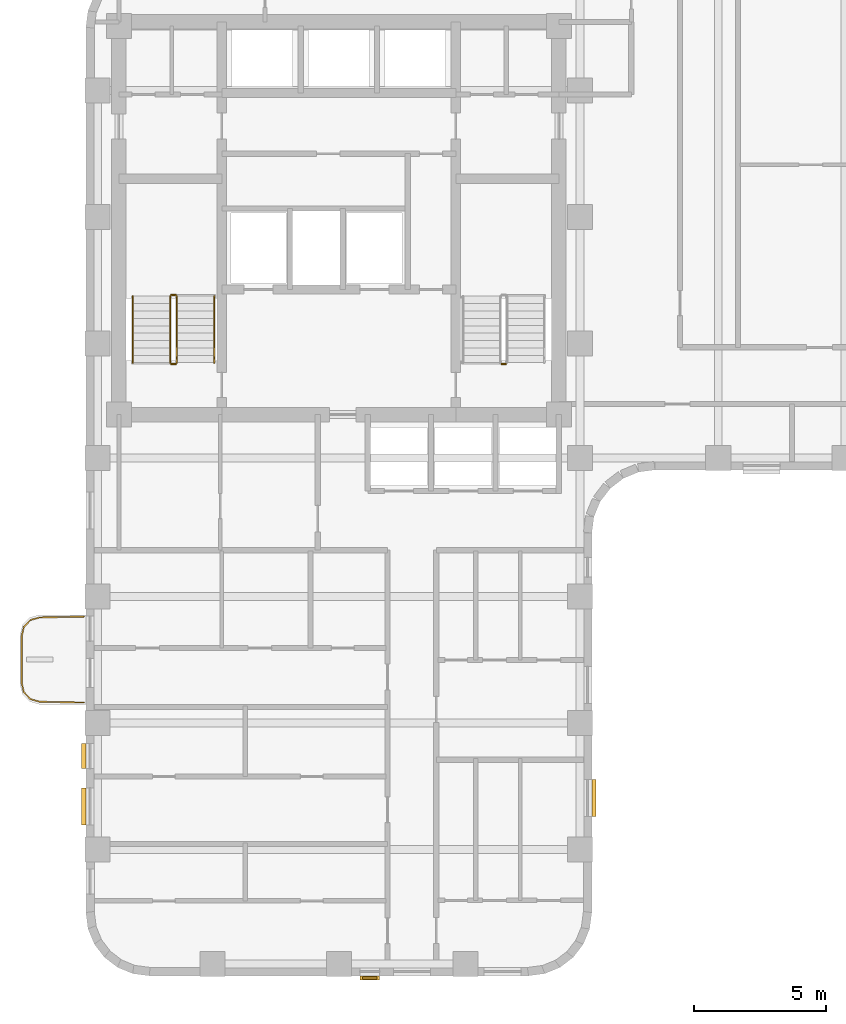
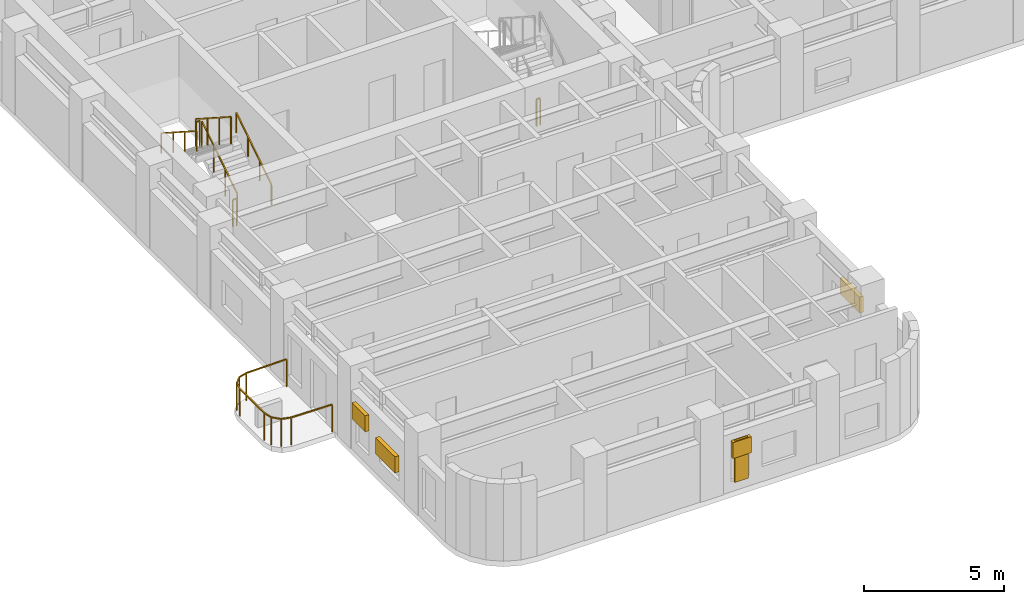
# One storey, part 8 of 10: 8 railings, 5 shading devices.
"""IFC4 building model written with IfcOpenShell, lengths in metres."""

from ifc_helpers import new_model, si_unit, direction, frame, origin, origin_2d, place, context, subcontext, project, spatial, rectangle, extrude, material, type_object, element, save


model = new_model("IFC4")

# Units and contexts
model_context = context("Model", 3, precision=1e-05, world=origin(), true_north=direction((0.0, 1.0)))
body_context = subcontext(model_context, "Body", "Model", "MODEL_VIEW")
ifc_project = project(units=[si_unit("LENGTHUNIT", "METRE"), si_unit("AREAUNIT", "SQUARE_METRE"), si_unit("VOLUMEUNIT", "CUBIC_METRE"), si_unit("PLANEANGLEUNIT", "RADIAN"), si_unit("MASSUNIT", "GRAM", prefix="KILO")], contexts=[model_context])

# Site, building, storey
site_placement = place(None, origin())
site = spatial("IfcSite", under=ifc_project, at=site_placement, CompositionType="ELEMENT")
building_placement = place(site_placement, origin())
building = spatial("IfcBuilding", under=site, at=building_placement, Name="Orvandelia Arch Residences", CompositionType="ELEMENT")
storey_placement = place(building_placement, frame((0.0, 0.0, 139.60009765625)))
storey = spatial("IfcBuildingStorey", under=building, at=storey_placement, Name="L36", CompositionType="ELEMENT", Elevation=139.60009765625)

# Railings
ifc_material_1 = material(Name="Marine-Grade Stainless Steel 316", Category="steel")
railing_type_1 = type_object("IfcRailingType", Name="GRD-BAL-1200", PredefinedType="BALUSTRADE", material=ifc_material_1)
railing_1_placement = place(storey_placement, frame((4.728271484375, 23.23046875, 0.0)))
element("IfcRailing", 1, at=railing_1_placement, inside=storey, type_object=railing_type_1, Name="Safety Balustrade Guard GRD-L36-BAL-L36-W1-1", PredefinedType="BALUSTRADE", context=body_context, shape_type="SweptSolid", body=[
    extrude(rectangle(XDim=0.048095703125, YDim=0.048095703125, at=origin_2d()), frame((0.0, 0.0, 1.19580078125), z_axis=(-0.999834751713, -0.018178813668, 0.0), x_axis=(0.018178813668, -0.999834751713, 0.0)), (0.0, 0.0, 1.0), 1.6787109375),
    extrude(rectangle(XDim=0.048095703125, YDim=0.048095703125, at=origin_2d()), frame((-1.678466796875, -0.030517578125, 1.19580078125), z_axis=(-0.96348920644, -0.267747173792, 0.0), x_axis=(0.267747173792, -0.96348920644, 0.0)), (0.0, 0.0, 1.0), 0.36572265625),
    extrude(rectangle(XDim=0.048095703125, YDim=0.048095703125, at=origin_2d()), frame((-2.03076171875, -0.12841796875, 1.19580078125), z_axis=(-0.688627404251, -0.725115368831, 0.0), x_axis=(0.725115368831, -0.688627404251, 0.0)), (0.0, 0.0, 1.0), 0.367919921875),
    extrude(rectangle(XDim=0.048095703125, YDim=0.048095703125, at=origin_2d()), frame((-2.2841796875, -0.395263671875, 1.19580078125), z_axis=(-0.220461657419, -0.975395641577, 0.0), x_axis=(0.975395641577, -0.220461657419, 0.0)), (0.0, 0.0, 1.0), 0.373291015625),
    extrude(rectangle(XDim=0.048095703125, YDim=0.048095703125, at=origin_2d()), frame((-2.366455078125, -0.75927734375, 1.19580078125), z_axis=(0.0, -1.0, 0.0), x_axis=(1.0, 0.0, 0.0)), (0.0, 0.0, 1.0), 1.742431640625),
    extrude(rectangle(XDim=0.048095703125, YDim=0.048095703125, at=origin_2d()), frame((-2.366455078125, -2.501708984375, 1.19580078125), z_axis=(0.220602419982, -0.975363815352, 0.0), x_axis=(0.975363815352, 0.220602419982, 0.0)), (0.0, 0.0, 1.0), 0.373046875),
    extrude(rectangle(XDim=0.048095703125, YDim=0.048095703125, at=origin_2d()), frame((-2.2841796875, -2.865478515625, 1.19580078125), z_axis=(0.688296224633, -0.725429739642, 0.0), x_axis=(0.725429739642, 0.688296224633, 0.0)), (0.0, 0.0, 1.0), 0.3681640625),
    extrude(rectangle(XDim=0.048095703125, YDim=0.048095703125, at=origin_2d()), frame((-2.03076171875, -3.132568359375, 1.19580078125), z_axis=(0.96348920644, -0.267747173792, 0.0), x_axis=(0.267747173792, 0.96348920644, 0.0)), (0.0, 0.0, 1.0), 0.36572265625),
    extrude(rectangle(XDim=0.048095703125, YDim=0.048095703125, at=origin_2d()), frame((-1.678466796875, -3.23046875, 1.19580078125), z_axis=(0.999834751713, -0.018178813668, 0.0), x_axis=(0.018178813668, 0.999834751713, 0.0)), (0.0, 0.0, 1.0), 1.6787109375),
    extrude(rectangle(XDim=0.0419921875, YDim=0.0419921875, at=origin_2d()), origin(), (0.0, 0.0, 1.0), 1.171875),
    extrude(rectangle(XDim=0.0419921875, YDim=0.0419921875, at=origin_2d()), frame((-1.678466796875, -0.030517578125, 0.0)), (0.0, 0.0, 1.0), 1.171875),
    extrude(rectangle(XDim=0.0419921875, YDim=0.0419921875, at=origin_2d()), frame((-2.03076171875, -0.12841796875, 0.0)), (0.0, 0.0, 1.0), 1.171875),
    extrude(rectangle(XDim=0.0419921875, YDim=0.0419921875, at=origin_2d()), frame((-2.2841796875, -0.395263671875, 0.0)), (0.0, 0.0, 1.0), 1.171875),
    extrude(rectangle(XDim=0.0419921875, YDim=0.0419921875, at=origin_2d()), frame((-2.366455078125, -0.75927734375, 0.0)), (0.0, 0.0, 1.0), 1.171875),
    extrude(rectangle(XDim=0.0419921875, YDim=0.0419921875, at=origin_2d()), frame((-2.366455078125, -2.501708984375, 0.0)), (0.0, 0.0, 1.0), 1.171875),
    extrude(rectangle(XDim=0.0419921875, YDim=0.0419921875, at=origin_2d()), frame((-2.2841796875, -2.865478515625, 0.0)), (0.0, 0.0, 1.0), 1.171875),
    extrude(rectangle(XDim=0.0419921875, YDim=0.0419921875, at=origin_2d()), frame((-2.03076171875, -3.132568359375, 0.0)), (0.0, 0.0, 1.0), 1.171875),
    extrude(rectangle(XDim=0.0419921875, YDim=0.0419921875, at=origin_2d()), frame((-1.678466796875, -3.23046875, 0.0)), (0.0, 0.0, 1.0), 1.171875),
    extrude(rectangle(XDim=0.0419921875, YDim=0.0419921875, at=origin_2d()), frame((0.0, -3.260986328125, 0.0)), (0.0, 0.0, 1.0), 1.171875),
])
ifc_material_2 = material(Name="Brushed Stainless Steel 304", Category="steel")
railing_type_2 = type_object("IfcRailingType", Name="RL-STAIR-GD1120", PredefinedType="GUARDRAIL", material=ifc_material_2)
railing_2_placement = place(storey_placement, frame((8.25, 32.8701171875, 0.179931640625)))
element("IfcRailing", 2, at=railing_2_placement, inside=storey, type_object=railing_type_2, Name="L36 ST-1 stair guard 1", PredefinedType="GUARDRAIL", context=body_context, shape_type="SweptSolid", body=[
    extrude(rectangle(XDim=0.048095703125, YDim=0.048095703125, at=origin_2d()), frame((0.0, 0.0, 1.17578125), z_axis=(0.0, 0.841175827307, 0.540761710511), x_axis=(-1.0, 0.0, 0.0)), (0.0, 0.0, 1.0), 2.99560546875),
    extrude(rectangle(XDim=0.0419921875, YDim=0.0419921875, at=origin_2d()), origin(), (0.0, 0.0, 1.0), 1.15185546875),
    extrude(rectangle(XDim=0.0419921875, YDim=0.0419921875, at=origin_2d()), frame((0.0, 0.83984375, 0.5400390625)), (0.0, 0.0, 1.0), 1.15185546875),
    extrude(rectangle(XDim=0.0419921875, YDim=0.0419921875, at=origin_2d()), frame((0.0, 1.679931640625, 1.079833984375)), (0.0, 0.0, 1.0), 1.15185546875),
    extrude(rectangle(XDim=0.0419921875, YDim=0.0419921875, at=origin_2d()), frame((0.0, 2.519775390625, 1.619873046875)), (0.0, 0.0, 1.0), 1.15185546875),
])
railing_3_placement = place(storey_placement, frame((8.199951171875, 35.43994140625, 1.7998046875)))
element("IfcRailing", 3, at=railing_3_placement, inside=storey, type_object=railing_type_2, Name="L36 ST-1 stair guard 2", PredefinedType="GUARDRAIL", context=body_context, shape_type="SweptSolid", body=[
    extrude(rectangle(XDim=0.048095703125, YDim=0.048095703125, at=origin_2d()), frame((0.0, 0.0, 1.17578125), z_axis=(-1.0, 0.0, 0.0), x_axis=(0.0, -1.0, 0.0)), (0.0, 0.0, 1.0), 0.14990234375),
    extrude(rectangle(XDim=0.0419921875, YDim=0.0419921875, at=origin_2d()), origin(), (0.0, 0.0, 1.0), 1.15185546875),
    extrude(rectangle(XDim=0.0419921875, YDim=0.0419921875, at=origin_2d()), frame((-0.14990234375, 0.0, 0.0)), (0.0, 0.0, 1.0), 1.15185546875),
])
railing_4_placement = place(storey_placement, frame((8.0, 35.389892578125, 1.97998046875)))
element("IfcRailing", 4, at=railing_4_placement, inside=storey, type_object=railing_type_2, Name="L36 ST-1 stair guard 3", PredefinedType="GUARDRAIL", context=body_context, shape_type="SweptSolid", body=[
    extrude(rectangle(XDim=0.048095703125, YDim=0.048095703125, at=origin_2d()), frame((0.0, 0.0, 1.17578125), z_axis=(0.0, -0.841175827307, 0.540761710511), x_axis=(1.0, 0.0, 0.0)), (0.0, 0.0, 1.0), 2.99560546875),
    extrude(rectangle(XDim=0.0419921875, YDim=0.0419921875, at=origin_2d()), origin(), (0.0, 0.0, 1.0), 1.15185546875),
    extrude(rectangle(XDim=0.0419921875, YDim=0.0419921875, at=origin_2d()), frame((0.0, -0.83984375, 0.5400390625)), (0.0, 0.0, 1.0), 1.15185546875),
    extrude(rectangle(XDim=0.0419921875, YDim=0.0419921875, at=origin_2d()), frame((0.0, -1.679931640625, 1.079833984375)), (0.0, 0.0, 1.0), 1.15185546875),
    extrude(rectangle(XDim=0.0419921875, YDim=0.0419921875, at=origin_2d()), frame((0.0, -2.519775390625, 1.619873046875)), (0.0, 0.0, 1.0), 1.15185546875),
])
for number, where, name in (
    (5, (8.199951171875, 32.820068359375, 0.0), "L36 ST-1 stair guard 4"),
    (6, (20.72998046875, 32.820068359375, 0.0), "L36 ST-2 stair guard 4"),
):
    element("IfcRailing", number, at=place(storey_placement, frame(where)), inside=storey, type_object=railing_type_2, Name=name, PredefinedType="GUARDRAIL", context=body_context, shape_type="SweptSolid", body=[
        extrude(rectangle(XDim=0.048095703125, YDim=0.048095703125, at=origin_2d()), frame((0.0, 0.0, 1.17578125), z_axis=(-1.0, 0.0, 0.0), x_axis=(0.0, -1.0, 0.0)), (0.0, 0.0, 1.0), 0.14990234375),
        extrude(rectangle(XDim=0.0419921875, YDim=0.0419921875, at=origin_2d()), origin(), (0.0, 0.0, 1.0), 1.15185546875),
        extrude(rectangle(XDim=0.0419921875, YDim=0.0419921875, at=origin_2d()), frame((-0.14990234375, 0.0, 0.0)), (0.0, 0.0, 1.0), 1.15185546875),
    ])
railing_type_3 = type_object("IfcRailingType", Name="RL-STAIR-HR920", PredefinedType="HANDRAIL", material=ifc_material_2)
railing_5_placement = place(storey_placement, frame((9.669921875, 32.8701171875, 0.35986328125)))
element("IfcRailing", 7, at=railing_5_placement, inside=storey, type_object=railing_type_3, Name="L36 ST-1 stair handrail 1", PredefinedType="HANDRAIL", context=body_context, shape_type="SweptSolid", body=[
    extrude(rectangle(XDim=0.048095703125, YDim=0.048095703125, at=origin_2d()), frame((0.0, 0.0, 0.8759765625), z_axis=(0.0, 0.841138753965, 0.540819375188), x_axis=(-1.0, 0.0, 0.0)), (0.0, 0.0, 1.0), 2.99560546875),
    extrude(rectangle(XDim=0.0419921875, YDim=0.0419921875, at=origin_2d()), origin(), (0.0, 0.0, 1.0), 0.851806640625),
    extrude(rectangle(XDim=0.0419921875, YDim=0.0419921875, at=origin_2d()), frame((0.0, 0.83984375, 0.5400390625)), (0.0, 0.0, 1.0), 0.851806640625),
    extrude(rectangle(XDim=0.0419921875, YDim=0.0419921875, at=origin_2d()), frame((0.0, 1.679931640625, 1.080078125)), (0.0, 0.0, 1.0), 0.851806640625),
    extrude(rectangle(XDim=0.0419921875, YDim=0.0419921875, at=origin_2d()), frame((0.0, 2.519775390625, 1.6201171875)), (0.0, 0.0, 1.0), 0.851806640625),
])
railing_6_placement = place(storey_placement, frame((6.580078125, 35.389892578125, 2.159912109375)))
element("IfcRailing", 8, at=railing_6_placement, inside=storey, type_object=railing_type_3, Name="L36 ST-1 stair handrail 2", PredefinedType="HANDRAIL", context=body_context, shape_type="SweptSolid", body=[
    extrude(rectangle(XDim=0.048095703125, YDim=0.048095703125, at=origin_2d()), frame((0.0, 0.0, 0.8759765625), z_axis=(0.0, -0.841175827307, 0.540761710511), x_axis=(1.0, 0.0, 0.0)), (0.0, 0.0, 1.0), 2.99560546875),
    extrude(rectangle(XDim=0.0419921875, YDim=0.0419921875, at=origin_2d()), origin(), (0.0, 0.0, 1.0), 0.851806640625),
    extrude(rectangle(XDim=0.0419921875, YDim=0.0419921875, at=origin_2d()), frame((0.0, -0.83984375, 0.5400390625)), (0.0, 0.0, 1.0), 0.851806640625),
    extrude(rectangle(XDim=0.0419921875, YDim=0.0419921875, at=origin_2d()), frame((0.0, -1.679931640625, 1.079833984375)), (0.0, 0.0, 1.0), 0.851806640625),
    extrude(rectangle(XDim=0.0419921875, YDim=0.0419921875, at=origin_2d()), frame((0.0, -2.519775390625, 1.619873046875)), (0.0, 0.0, 1.0), 0.851806640625),
])

# Shading devices
ifc_material_3 = material(Name="Anodised Champagne-Bronze Extruded Aluminium", Category="aluminium")
shading_device_type_1 = type_object("IfcShadingDeviceType", Name="SHD-JALOUSIE-SCREEN", PredefinedType="JALOUSIE", material=ifc_material_3)
shading_device_1_placement = place(storey_placement, frame((24.080078125, 16.347412109375, 1.0498046875), z_axis=(0.0, 0.0, 1.0), x_axis=(0.0, -1.0, 0.0)))
element("IfcShadingDevice", 9, at=shading_device_1_placement, inside=storey, type_object=shading_device_type_1, Name="Bronze Jalousie Sun-Shade L36-005", PredefinedType="JALOUSIE", context=body_context, shape_type="SweptSolid", body=[
    extrude(rectangle(XDim=1.39990234375, YDim=0.159912109375, at=origin_2d()), origin(), (0.0, 0.0, 1.0), 0.699951171875),
])
shading_device_2_placement = place(storey_placement, frame((15.572509765625, 9.52001953125, 1.5498046875), z_axis=(0.0, 0.0, 1.0), x_axis=(-1.0, 0.0, 0.0)))
element("IfcShadingDevice", 10, at=shading_device_2_placement, inside=storey, type_object=shading_device_type_1, Name="Bronze Jalousie Sun-Shade L36-006", PredefinedType="JALOUSIE", context=body_context, shape_type="SweptSolid", body=[
    extrude(rectangle(XDim=0.75, YDim=0.159912109375, at=origin_2d()), origin(), (0.0, 0.0, 1.0), 0.699951171875),
])
shading_device_3_placement = place(storey_placement, frame((4.719970703125, 16.027587890625, 1.0498046875), z_axis=(0.0, 0.0, 1.0), x_axis=(0.0, 1.0, 0.0)))
element("IfcShadingDevice", 11, at=shading_device_3_placement, inside=storey, type_object=shading_device_type_1, Name="Bronze Jalousie Sun-Shade L36-007", PredefinedType="JALOUSIE", context=body_context, shape_type="SweptSolid", body=[
    extrude(rectangle(XDim=1.39990234375, YDim=0.159912109375, at=origin_2d()), origin(), (0.0, 0.0, 1.0), 0.699951171875),
])
shading_device_4_placement = place(storey_placement, frame((4.719970703125, 17.9326171875, 1.5498046875), z_axis=(0.0, 0.0, 1.0), x_axis=(0.0, 1.0, 0.0)))
element("IfcShadingDevice", 12, at=shading_device_4_placement, inside=storey, type_object=shading_device_type_1, Name="Bronze Jalousie Sun-Shade L36-008", PredefinedType="JALOUSIE", context=body_context, shape_type="SweptSolid", body=[
    extrude(rectangle(XDim=0.949951171875, YDim=0.159912109375, at=origin_2d()), origin(), (0.0, 0.0, 1.0), 0.699951171875),
])
ifc_material_4 = material(Name="Marine-Grade Perforated Aluminium Storm Shutter", Category="aluminium")
shading_device_type_2 = type_object("IfcShadingDeviceType", Name="SHD-STORM-SHUTTER", PredefinedType="SHUTTER", material=ifc_material_4)
shading_device_5_placement = place(storey_placement, frame((15.572509765625, 9.52001953125, 0.44970703125), z_axis=(0.0, 0.0, 1.0), x_axis=(-1.0, 0.0, 0.0)))
element("IfcShadingDevice", 13, at=shading_device_5_placement, inside=storey, type_object=shading_device_type_2, Name="Operable Typhoon Storm Shutter L36-006", PredefinedType="SHUTTER", context=body_context, shape_type="SweptSolid", body=[
    extrude(rectangle(XDim=0.550048828125, YDim=0.080078125, at=origin_2d()), origin(), (0.0, 0.0, 1.0), 1.800048828125),
])

save(model, "model.ifc")
